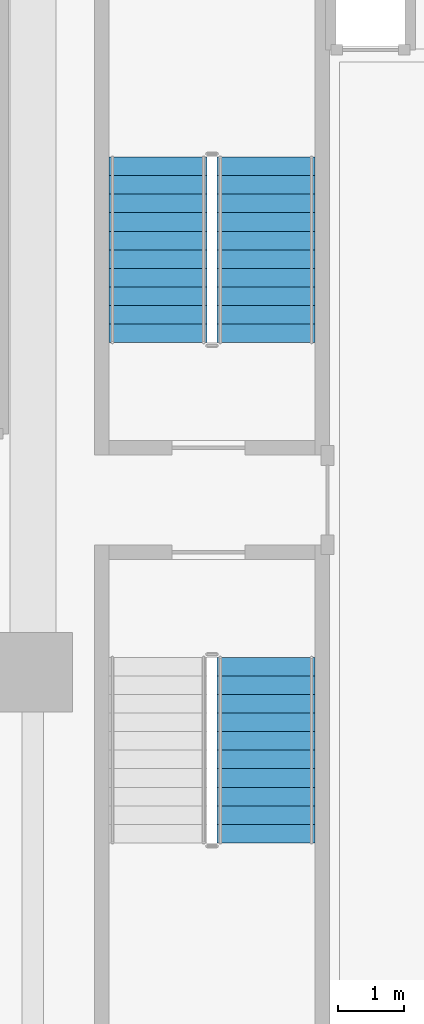
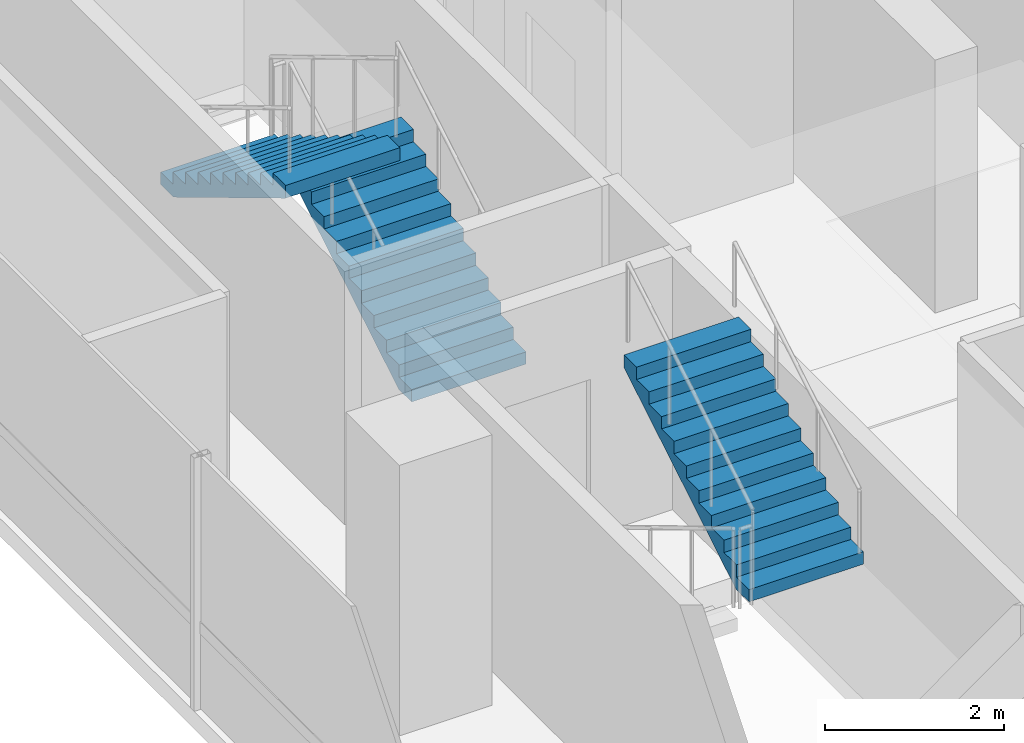
# One storey, part 29 of 33: 3 stair flights, 2 elements without a shape of their own.
"""IFC4 building model written with IfcOpenShell, lengths in metres."""

from ifc_helpers import new_model, si_unit, direction, frame, origin, place, context, subcontext, project, spatial, polyline, outline, extrude, material, type_object, element, aggregate, save


model = new_model("IFC4")

# Units and contexts
model_context = context("Model", 3, precision=1e-05, world=origin(), true_north=direction((0.0, 1.0)))
body_context = subcontext(model_context, "Body", "Model", "MODEL_VIEW")
ifc_project = project(units=[si_unit("LENGTHUNIT", "METRE"), si_unit("AREAUNIT", "SQUARE_METRE"), si_unit("VOLUMEUNIT", "CUBIC_METRE"), si_unit("PLANEANGLEUNIT", "RADIAN"), si_unit("MASSUNIT", "GRAM", prefix="KILO")], contexts=[model_context])

# Site, building, storey
site_placement = place(None, origin())
site = spatial("IfcSite", under=ifc_project, at=site_placement, CompositionType="ELEMENT")
building_placement = place(site_placement, origin())
building = spatial("IfcBuilding", under=site, at=building_placement, Name="Valdorenza Pilgrim Sanctuary Tower", CompositionType="ELEMENT")
storey_placement = place(building_placement, frame((0.0, 0.0, 157.5)))
storey = spatial("IfcBuildingStorey", under=building, at=storey_placement, Name="L40", CompositionType="ELEMENT", Elevation=157.5)

# Stair, stair flights
ifc_material = material(Name="Concrete C40/50", Category="concrete")
stair_type = type_object("IfcStairType", Name="STR-DOG-CORE", PredefinedType="HALF_TURN_STAIR", material=ifc_material)
stair_1_placement = place(storey_placement, origin())
stair_1 = element("IfcStair", 1, at=stair_1_placement, inside=storey, type_object=stair_type, Name="L40 ST-B1", PredefinedType="HALF_TURN_STAIR")
stair_flight_type = type_object("IfcStairFlightType", Name="STF-RC-1400", PredefinedType="STRAIGHT", material=ifc_material)
stair_flight_1_placement = place(storey_placement, frame((19.3701171875, 2.3798828125, 0.0), z_axis=(0.0, 0.0, 1.0), x_axis=(0.0, 1.0, 0.0)))
stair_flight_1 = element("IfcStairFlight", 2, at=stair_flight_1_placement, type_object=stair_flight_type, Name="ST-B1 flight 1", NumberOfRisers=11, NumberOfTreads=10, PredefinedType="STRAIGHT", RiserHeight=0.168181818, TreadLength=0.28, context=body_context, shape_type="SweptSolid", body=[
    extrude(outline(polyline([(0.0, 0.0), (0.0, 0.168212890625), (0.280029296875, 0.168212890625), (0.280029296875, 0.33642578125), (0.56005859375, 0.33642578125), (0.56005859375, 0.504638671875), (0.840087890625, 0.504638671875), (0.840087890625, 0.672607421875), (1.1201171875, 0.672607421875), (1.1201171875, 0.8408203125), (1.39990234375, 0.8408203125), (1.39990234375, 1.009033203125), (1.679931640625, 1.009033203125), (1.679931640625, 1.17724609375), (1.9599609375, 1.17724609375), (1.9599609375, 1.345458984375), (2.239990234375, 1.345458984375), (2.239990234375, 1.513671875), (2.52001953125, 1.513671875), (2.52001953125, 1.681884765625), (2.800048828125, 1.681884765625), (2.800048828125, 1.85009765625), (2.800048828125, 1.5068359375), (0.291015625, 0.0), (0.0, 0.0)])), frame((0.0, 0.739990234375, 0.0), z_axis=(0.0, -1.0, 0.0), x_axis=(1.0, 0.0, 0.0)), (0.0, 0.0, 1.0), 1.47998046875),
])
stair_flight_2_placement = place(storey_placement, frame((17.739990234375, 5.179931640625, 1.85009765625), z_axis=(0.0, 0.0, 1.0), x_axis=(0.0, -1.0, 0.0)))
stair_flight_2 = element("IfcStairFlight", 3, at=stair_flight_2_placement, type_object=stair_flight_type, Name="ST-B1 flight 2", NumberOfRisers=11, NumberOfTreads=10, PredefinedType="STRAIGHT", RiserHeight=0.168181818, TreadLength=0.28, context=body_context, shape_type="SweptSolid", body=[
    extrude(outline(polyline([(0.0, 0.0), (0.0, 0.168212890625), (0.280029296875, 0.168212890625), (0.280029296875, 0.33642578125), (0.56005859375, 0.33642578125), (0.56005859375, 0.504638671875), (0.840087890625, 0.504638671875), (0.840087890625, 0.672607421875), (1.1201171875, 0.672607421875), (1.1201171875, 0.8408203125), (1.39990234375, 0.8408203125), (1.39990234375, 1.009033203125), (1.679931640625, 1.009033203125), (1.679931640625, 1.17724609375), (1.9599609375, 1.17724609375), (1.9599609375, 1.345458984375), (2.239990234375, 1.345458984375), (2.239990234375, 1.513671875), (2.52001953125, 1.513671875), (2.52001953125, 1.681884765625), (2.800048828125, 1.681884765625), (2.800048828125, 1.85009765625), (2.800048828125, 1.5068359375), (0.291015625, 0.0), (0.0, 0.0)])), frame((0.0, 0.739990234375, 0.0), z_axis=(0.0, -1.0, 0.0), x_axis=(1.0, 0.0, 0.0)), (0.0, 0.0, 1.0), 1.47998046875),
])
aggregate(stair_1, [stair_flight_1, stair_flight_2])

# Stair, stair flight
stair_2_placement = place(storey_placement, origin())
stair_2 = element("IfcStair", 4, at=stair_2_placement, inside=storey, type_object=stair_type, Name="L40 ST-B2", PredefinedType="HALF_TURN_STAIR")
stair_flight_3_placement = place(storey_placement, frame((19.3701171875, -5.179931640625, 1.85009765625), z_axis=(0.0, 0.0, 1.0), x_axis=(0.0, 1.0, 0.0)))
stair_flight_3 = element("IfcStairFlight", 5, at=stair_flight_3_placement, type_object=stair_flight_type, Name="ST-B2 flight 2", NumberOfRisers=11, NumberOfTreads=10, PredefinedType="STRAIGHT", RiserHeight=0.168181818, TreadLength=0.28, context=body_context, shape_type="SweptSolid", body=[
    extrude(outline(polyline([(0.0, 0.0), (0.0, 0.168212890625), (0.280029296875, 0.168212890625), (0.280029296875, 0.33642578125), (0.56005859375, 0.33642578125), (0.56005859375, 0.504638671875), (0.840087890625, 0.504638671875), (0.840087890625, 0.672607421875), (1.1201171875, 0.672607421875), (1.1201171875, 0.8408203125), (1.39990234375, 0.8408203125), (1.39990234375, 1.009033203125), (1.679931640625, 1.009033203125), (1.679931640625, 1.17724609375), (1.9599609375, 1.17724609375), (1.9599609375, 1.345458984375), (2.239990234375, 1.345458984375), (2.239990234375, 1.513671875), (2.52001953125, 1.513671875), (2.52001953125, 1.681884765625), (2.800048828125, 1.681884765625), (2.800048828125, 1.85009765625), (2.800048828125, 1.5068359375), (0.291015625, 0.0), (0.0, 0.0)])), frame((0.0, 0.739990234375, 0.0), z_axis=(0.0, -1.0, 0.0), x_axis=(1.0, 0.0, 0.0)), (0.0, 0.0, 1.0), 1.47998046875),
])
aggregate(stair_2, [stair_flight_3])

save(model, "model.ifc")
